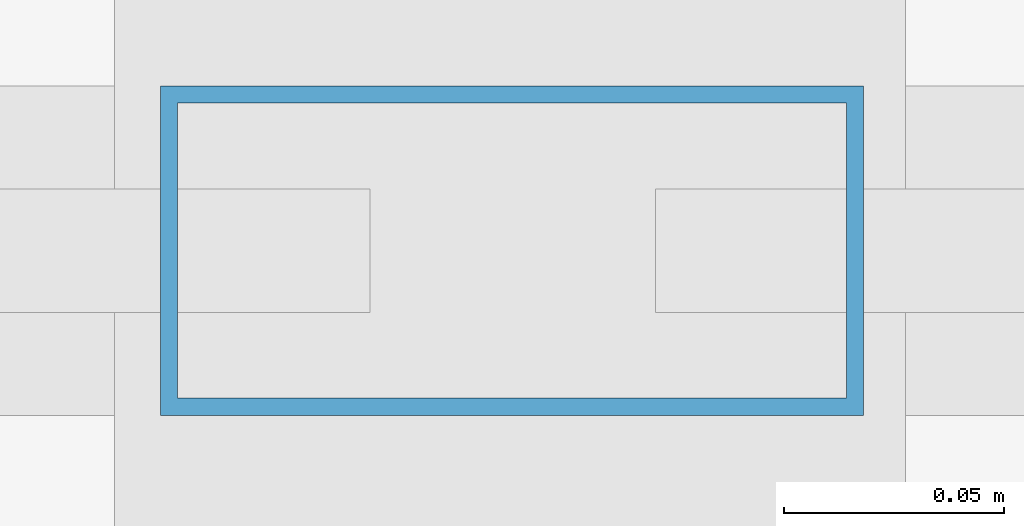
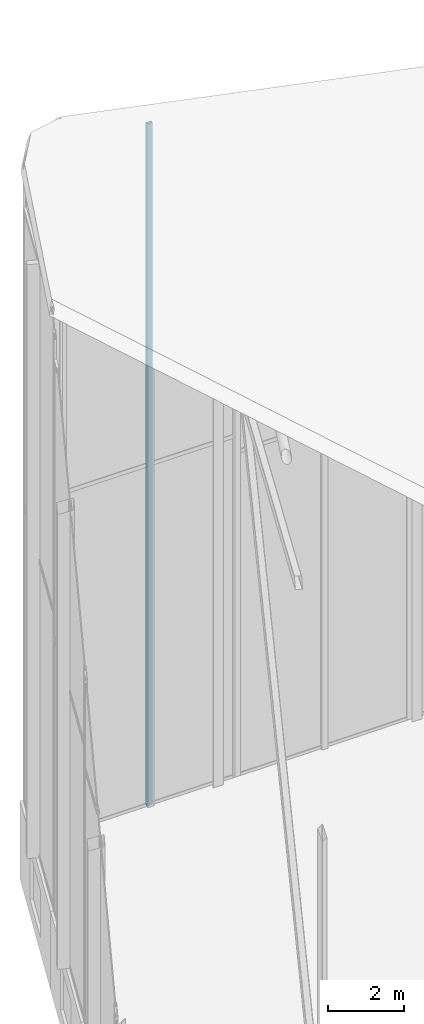
# One storey, part 45 of 74: 1 member, 1 element without a shape of its own.
"""IFC4 building model written with IfcOpenShell, lengths in metres."""

import ifcopenshell
import ifcopenshell.guid

model = None  # the IFC model being written
_history = None  # IfcOwnerHistory: only IFC2X3 demands one
_inside = {}  # id of a spatial element -> (the spatial element, [elements in it])
_under = {}  # id of a project, library or spatial element -> (it, [spatial elements below it])
_declared = {}  # id of a project -> (the project, [libraries it declares])
_typed = {}  # id of a type object -> (the type object, [elements of that type])
_made_of = {}  # id of a material, layer set ... -> (it, [elements and type objects made of it])


def new_model(schema):
    """Start an empty IFC model of exactly this schema.

    Asked for "IFC4X3", IfcOpenShell would pick the latest addendum, in which some entities
    have other attributes; the version numbers below select the first issue.
    IFC2X3 requires an IfcOwnerHistory on every rooted entity: one is made here for all.
    """
    global model, _history
    if schema == "IFC4X3":
        model = ifcopenshell.file(schema_version=(4, 3, 0, 0))
    else:
        model = ifcopenshell.file(schema=schema)
    _inside.clear()
    _under.clear()
    _declared.clear()
    _typed.clear()
    _made_of.clear()
    _history = None
    if model.schema == "IFC2X3":
        org = make("IfcOrganization", Name="unknown")
        user = make(
            "IfcPersonAndOrganization",
            ThePerson=make("IfcPerson", FamilyName="unknown"),
            TheOrganization=org,
        )
        app = make(
            "IfcApplication",
            ApplicationDeveloper=org,
            Version="unknown",
            ApplicationFullName="unknown",
            ApplicationIdentifier="unknown",
        )
        _history = make(
            "IfcOwnerHistory",
            OwningUser=user,
            OwningApplication=app,
            ChangeAction="ADDED",
            CreationDate=0,
        )
    return model


def make(cls, **values):
    """One entity of the class cls with the attributes given. An attribute that is None is left unset."""
    return model.create_entity(
        cls, **{name: value for name, value in values.items() if value is not None}
    )


def rooted(cls, **values):
    """An entity with a GlobalId (a new one), such as an element, a storey or a relation."""
    return make(cls, GlobalId=ifcopenshell.guid.new(), OwnerHistory=_history, **values)


def si_unit(unit_type, name, prefix=None):
    """IfcSIUnit, for example si_unit("LENGTHUNIT", "METRE", prefix="MILLI")."""
    return make("IfcSIUnit", UnitType=unit_type, Prefix=prefix, Name=name)


def assignment(units):
    """IfcUnitAssignment: the units of a project."""
    return None if units is None else make("IfcUnitAssignment", Units=units)


def point(xyz):
    """IfcCartesianPoint."""
    return None if xyz is None else make("IfcCartesianPoint", Coordinates=xyz)


def direction(xyz):
    """IfcDirection."""
    return None if xyz is None else make("IfcDirection", DirectionRatios=xyz)


def frame(location, z_axis=None, x_axis=None):
    """IfcAxis2Placement3D, a coordinate frame: its origin and axes. An axis left out is left unset."""
    return make(
        "IfcAxis2Placement3D",
        Location=point(location),
        Axis=direction(z_axis),
        RefDirection=direction(x_axis),
    )


def frame_2d(location, x_axis=None):
    """IfcAxis2Placement2D, a coordinate frame in the plane: its origin and x axis."""
    return make(
        "IfcAxis2Placement2D", Location=point(location), RefDirection=direction(x_axis)
    )


def origin():
    """The frame at (0, 0, 0) with its axes left unset."""
    return frame((0.0, 0.0, 0.0))


def origin_2d():
    """The frame at (0, 0) in the plane with its x axis left unset."""
    return frame_2d((0.0, 0.0))


def place(relative_to, where):
    """IfcLocalPlacement: puts the frame where relative to a parent placement (None: the world)."""
    return make(
        "IfcLocalPlacement", PlacementRelTo=relative_to, RelativePlacement=where
    )


def context(
    kind, dimensions, precision=None, world=None, true_north=None, identifier=None
):
    """IfcGeometricRepresentationContext, for example the 3D "Model" context."""
    return make(
        "IfcGeometricRepresentationContext",
        ContextIdentifier=identifier,
        ContextType=kind,
        CoordinateSpaceDimension=dimensions,
        Precision=precision,
        WorldCoordinateSystem=world,
        TrueNorth=true_north,
    )


def subcontext(parent, identifier, kind, view, scale=None):
    """IfcGeometricRepresentationSubContext, for example "Body" below "Model"."""
    return make(
        "IfcGeometricRepresentationSubContext",
        ContextIdentifier=identifier,
        ContextType=kind,
        ParentContext=parent,
        TargetScale=scale,
        TargetView=view,
    )


def project(units=None, contexts=None):
    """IfcProject with its units and contexts."""
    return rooted(
        "IfcProject",
        Name="project",
        RepresentationContexts=contexts,
        UnitsInContext=assignment(units),
    )


def spatial(cls, under=None, at=None, **own):
    """A site, building, storey or space (cls), placed at a placement, below another one or the project."""
    s = rooted(cls, ObjectPlacement=at, **own)
    if under is not None:
        _under.setdefault(under.id(), (under, []))[1].append(s)
    return s


def profile(cls, at=None, kind="AREA", **sizes):
    """A parametric profile (cls). Its sizes go by their IFC names, for example OverallWidth=200.0."""
    return make(cls, ProfileType=kind, Position=at, **sizes)


def hollow_rectangle(**sizes):
    """IfcRectangleHollowProfileDef."""
    return profile("IfcRectangleHollowProfileDef", **sizes)


def extrude(swept, where, along, depth):
    """IfcExtrudedAreaSolid: the profile swept, set in the frame where, extruded along a direction by depth."""
    return make(
        "IfcExtrudedAreaSolid",
        SweptArea=swept,
        Position=where,
        ExtrudedDirection=direction(along),
        Depth=depth,
    )


def shape(context_of_items, identifier, shape_type, items):
    """IfcShapeRepresentation: the items that make up one representation, for example the "Body"."""
    return make(
        "IfcShapeRepresentation",
        ContextOfItems=context_of_items,
        RepresentationIdentifier=identifier,
        RepresentationType=shape_type,
        Items=items,
    )


def material(Name=None, Category=None):
    """IfcMaterial."""
    return make("IfcMaterial", Name=Name, Category=Category)


def layer(
    of_material, thickness, ventilated=None, Name=None, Category=None, Priority=None
):
    """IfcMaterialLayer: one layer of a wall or slab, of a material (None: an air gap)."""
    return make(
        "IfcMaterialLayer",
        Material=of_material,
        LayerThickness=thickness,
        IsVentilated=ventilated,
        Name=Name,
        Category=Category,
        Priority=Priority,
    )


def layer_set(layers, Name=None):
    """IfcMaterialLayerSet."""
    return make("IfcMaterialLayerSet", MaterialLayers=layers, LayerSetName=Name)


def material_profile(
    of_material, cross_section, Name=None, Category=None, Priority=None
):
    """IfcMaterialProfile: a cross section and its material."""
    return make(
        "IfcMaterialProfile",
        Name=Name,
        Material=of_material,
        Profile=cross_section,
        Priority=Priority,
        Category=Category,
    )


def profile_set(profiles, Name=None, composite=None):
    """IfcMaterialProfileSet."""
    return make(
        "IfcMaterialProfileSet",
        Name=Name,
        MaterialProfiles=profiles,
        CompositeProfile=composite,
    )


def made_of(thing, what):
    """Note that an element or type object is made of a material, layer set ...; save() writes the relation."""
    if what is not None:
        _made_of.setdefault(what.id(), (what, []))[1].append(thing)
    return thing


def type_object(cls, material=None, **own):
    """A type object (cls), such as IfcWallType, which elements share."""
    return made_of(rooted(cls, **own), material)


def element(
    cls,
    number,
    at=None,
    inside=None,
    cuts=None,
    type_object=None,
    material=None,
    context=None,
    identifier="Body",
    shape_type=None,
    held_by="IfcProductDefinitionShape",
    body=None,
    shapes=None,
    **own,
):
    """One element of the class cls, such as IfcWall. Its Tag is "e" and its number.

    at: its placement. inside: the storey or other place that contains it. cuts: it is an
    opening in that element (IfcRelVoidsElement). A single representation is given by context,
    identifier, shape_type and body (its items); several are given by shapes. held_by: the class
    of the entity that holds the representations. save() writes the other relations.
    """
    e = rooted(cls, Tag="e%d" % number, ObjectPlacement=at, **own)
    if body is not None:
        shapes = [shape(context, identifier, shape_type, body)]
    if shapes is not None:
        e.Representation = make(held_by, Representations=shapes)
    if inside is not None:
        _inside.setdefault(inside.id(), (inside, []))[1].append(e)
    if cuts is not None:
        rooted(
            "IfcRelVoidsElement", RelatingBuildingElement=cuts, RelatedOpeningElement=e
        )
    if type_object is not None:
        _typed.setdefault(type_object.id(), (type_object, []))[1].append(e)
    return made_of(e, material)


def aggregate(whole, parts):
    """IfcRelAggregates: a whole, such as a stair, and the parts it consists of."""
    return rooted("IfcRelAggregates", RelatingObject=whole, RelatedObjects=parts)


def save(model, path):
    """Write the relations noted so far, then the file.

    IfcRelAggregates (storeys below a building ...), IfcRelContainedInSpatialStructure (elements
    in a storey), IfcRelDefinesByType, IfcRelAssociatesMaterial and IfcRelDeclares: one each for
    every whole, place, type object, material and project.
    """
    for whole, parts in _under.values():
        aggregate(whole, parts)
    for where, things in _inside.values():
        rooted(
            "IfcRelContainedInSpatialStructure",
            RelatedElements=things,
            RelatingStructure=where,
        )
    for kind, things in _typed.values():
        rooted("IfcRelDefinesByType", RelatedObjects=things, RelatingType=kind)
    for what, things in _made_of.values():
        rooted("IfcRelAssociatesMaterial", RelatedObjects=things, RelatingMaterial=what)
    for by, libraries in _declared.values():
        rooted("IfcRelDeclares", RelatingContext=by, RelatedDefinitions=libraries)
    model.write(path)


model = new_model("IFC4")

# Units and contexts
model_context = context("Model", 3, precision=1e-05, world=origin(), true_north=direction((0.0, 1.0)))
body_context = subcontext(model_context, "Body", "Model", "MODEL_VIEW")
ifc_project = project(units=[si_unit("LENGTHUNIT", "METRE"), si_unit("AREAUNIT", "SQUARE_METRE"), si_unit("VOLUMEUNIT", "CUBIC_METRE"), si_unit("PLANEANGLEUNIT", "RADIAN"), si_unit("MASSUNIT", "GRAM", prefix="KILO")], contexts=[model_context])

# Site, building, storey
site_placement = place(None, origin())
site = spatial("IfcSite", under=ifc_project, at=site_placement, CompositionType="ELEMENT")
building_placement = place(site_placement, origin())
building = spatial("IfcBuilding", under=site, at=building_placement, Name="Keshet Zoharim Tower", CompositionType="ELEMENT")
storey_placement = place(building_placement, frame((0.0, 0.0, 320.0)))
storey = spatial("IfcBuildingStorey", under=building, at=storey_placement, Name="RF", CompositionType="ELEMENT", Elevation=320.0)

# Curtain wall, member
ifc_material = material(Name="Aluminium 6063-T6", Category="aluminium")
ifc_layer = layer(ifc_material, 0.260009765625)
ifc_layer_set = layer_set([ifc_layer], Name="Aluminium 6063-T6")
curtain_wall_type = type_object("IfcCurtainWallType", Name="CW-SYS-06", PredefinedType="NOTDEFINED", material=ifc_layer_set)
curtain_wall_placement = place(storey_placement, origin())
curtain_wall = element("IfcCurtainWall", 1, at=curtain_wall_placement, inside=storey, type_object=curtain_wall_type, Name="Slanted Crown Curtain Wall 11", PredefinedType="NOTDEFINED")
ifc_material_profile = material_profile(ifc_material, hollow_rectangle(XDim=0.074951171875, YDim=0.159912109375, WallThickness=0.00390625, at=origin_2d()), Name="MUL-75x160")
ifc_profile_set = profile_set([ifc_material_profile], Name="Aluminium 6063-T6")
member_type = type_object("IfcMemberType", Name="CWM-M15", PredefinedType="MULLION", material=ifc_profile_set)
member_placement = place(storey_placement, frame((19.00341796875, 53.89990234375, 0.0), z_axis=(0.0, 0.0, 1.0), x_axis=(0.0, 1.0, 0.0)))
member = element("IfcMember", 2, at=member_placement, type_object=member_type, Name="CW-06 mullion 2", PredefinedType="MULLION", context=body_context, shape_type="SweptSolid", body=[
    extrude(hollow_rectangle(XDim=0.074951171875, YDim=0.159912109375, WallThickness=0.00390625, at=origin_2d()), origin(), (0.0, 0.0, 1.0), 21.791015625),
])
aggregate(curtain_wall, [member])

save(model, "model.ifc")
